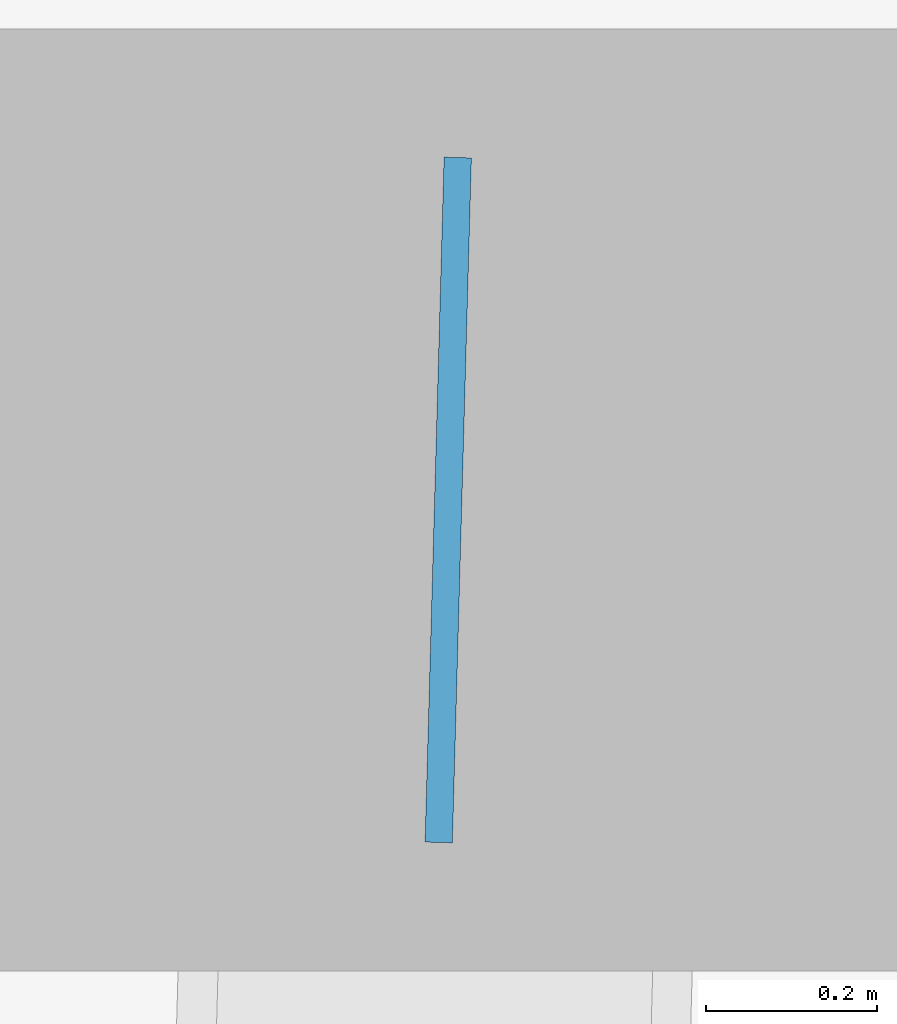
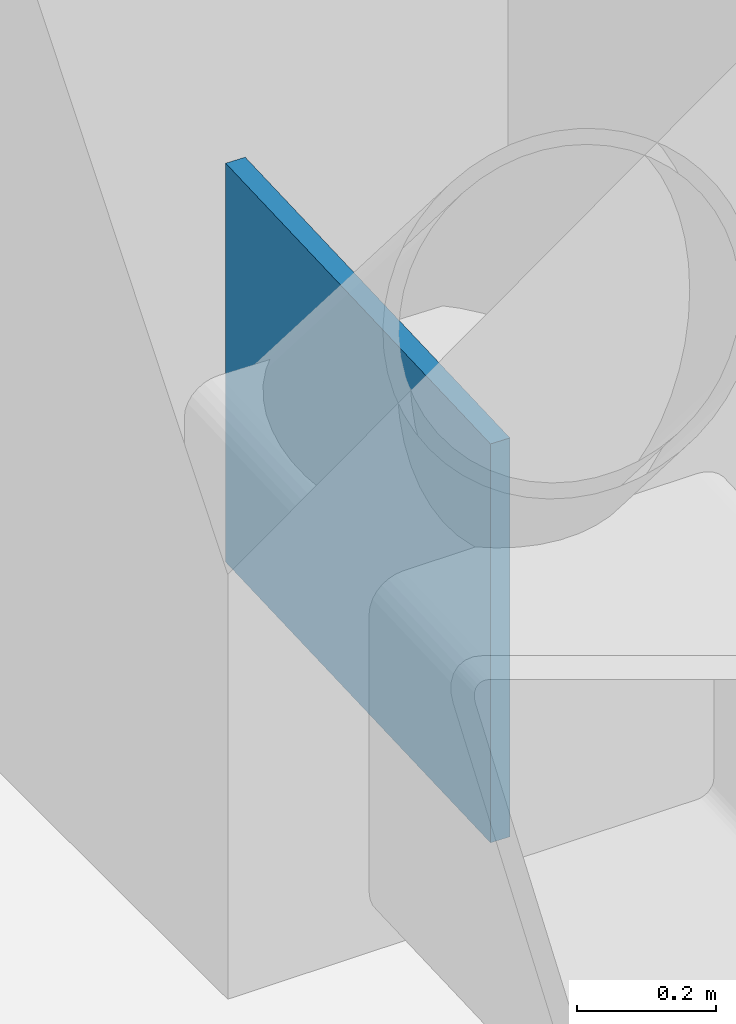
# One storey, part 6 of 17: 1 plate.
"""IFC4 building model written with IfcOpenShell, lengths in metres."""

import ifcopenshell
import ifcopenshell.guid

model = None  # the IFC model being written
_history = None  # IfcOwnerHistory: only IFC2X3 demands one
_inside = {}  # id of a spatial element -> (the spatial element, [elements in it])
_under = {}  # id of a project, library or spatial element -> (it, [spatial elements below it])
_declared = {}  # id of a project -> (the project, [libraries it declares])
_typed = {}  # id of a type object -> (the type object, [elements of that type])
_made_of = {}  # id of a material, layer set ... -> (it, [elements and type objects made of it])


def new_model(schema):
    """Start an empty IFC model of exactly this schema.

    Asked for "IFC4X3", IfcOpenShell would pick the latest addendum, in which some entities
    have other attributes; the version numbers below select the first issue.
    IFC2X3 requires an IfcOwnerHistory on every rooted entity: one is made here for all.
    """
    global model, _history
    if schema == "IFC4X3":
        model = ifcopenshell.file(schema_version=(4, 3, 0, 0))
    else:
        model = ifcopenshell.file(schema=schema)
    _inside.clear()
    _under.clear()
    _declared.clear()
    _typed.clear()
    _made_of.clear()
    _history = None
    if model.schema == "IFC2X3":
        org = make("IfcOrganization", Name="unknown")
        user = make(
            "IfcPersonAndOrganization",
            ThePerson=make("IfcPerson", FamilyName="unknown"),
            TheOrganization=org,
        )
        app = make(
            "IfcApplication",
            ApplicationDeveloper=org,
            Version="unknown",
            ApplicationFullName="unknown",
            ApplicationIdentifier="unknown",
        )
        _history = make(
            "IfcOwnerHistory",
            OwningUser=user,
            OwningApplication=app,
            ChangeAction="ADDED",
            CreationDate=0,
        )
    return model


def make(cls, **values):
    """One entity of the class cls with the attributes given. An attribute that is None is left unset."""
    return model.create_entity(
        cls, **{name: value for name, value in values.items() if value is not None}
    )


def rooted(cls, **values):
    """An entity with a GlobalId (a new one), such as an element, a storey or a relation."""
    return make(cls, GlobalId=ifcopenshell.guid.new(), OwnerHistory=_history, **values)


def si_unit(unit_type, name, prefix=None):
    """IfcSIUnit, for example si_unit("LENGTHUNIT", "METRE", prefix="MILLI")."""
    return make("IfcSIUnit", UnitType=unit_type, Prefix=prefix, Name=name)


def assignment(units):
    """IfcUnitAssignment: the units of a project."""
    return None if units is None else make("IfcUnitAssignment", Units=units)


def point(xyz):
    """IfcCartesianPoint."""
    return None if xyz is None else make("IfcCartesianPoint", Coordinates=xyz)


def direction(xyz):
    """IfcDirection."""
    return None if xyz is None else make("IfcDirection", DirectionRatios=xyz)


def frame(location, z_axis=None, x_axis=None):
    """IfcAxis2Placement3D, a coordinate frame: its origin and axes. An axis left out is left unset."""
    return make(
        "IfcAxis2Placement3D",
        Location=point(location),
        Axis=direction(z_axis),
        RefDirection=direction(x_axis),
    )


def frame_2d(location, x_axis=None):
    """IfcAxis2Placement2D, a coordinate frame in the plane: its origin and x axis."""
    return make(
        "IfcAxis2Placement2D", Location=point(location), RefDirection=direction(x_axis)
    )


def origin():
    """The frame at (0, 0, 0) with its axes left unset."""
    return frame((0.0, 0.0, 0.0))


def origin_2d():
    """The frame at (0, 0) in the plane with its x axis left unset."""
    return frame_2d((0.0, 0.0))


def place(relative_to, where):
    """IfcLocalPlacement: puts the frame where relative to a parent placement (None: the world)."""
    return make(
        "IfcLocalPlacement", PlacementRelTo=relative_to, RelativePlacement=where
    )


def context(
    kind, dimensions, precision=None, world=None, true_north=None, identifier=None
):
    """IfcGeometricRepresentationContext, for example the 3D "Model" context."""
    return make(
        "IfcGeometricRepresentationContext",
        ContextIdentifier=identifier,
        ContextType=kind,
        CoordinateSpaceDimension=dimensions,
        Precision=precision,
        WorldCoordinateSystem=world,
        TrueNorth=true_north,
    )


def subcontext(parent, identifier, kind, view, scale=None):
    """IfcGeometricRepresentationSubContext, for example "Body" below "Model"."""
    return make(
        "IfcGeometricRepresentationSubContext",
        ContextIdentifier=identifier,
        ContextType=kind,
        ParentContext=parent,
        TargetScale=scale,
        TargetView=view,
    )


def project(units=None, contexts=None):
    """IfcProject with its units and contexts."""
    return rooted(
        "IfcProject",
        Name="project",
        RepresentationContexts=contexts,
        UnitsInContext=assignment(units),
    )


def spatial(cls, under=None, at=None, **own):
    """A site, building, storey or space (cls), placed at a placement, below another one or the project."""
    s = rooted(cls, ObjectPlacement=at, **own)
    if under is not None:
        _under.setdefault(under.id(), (under, []))[1].append(s)
    return s


def profile(cls, at=None, kind="AREA", **sizes):
    """A parametric profile (cls). Its sizes go by their IFC names, for example OverallWidth=200.0."""
    return make(cls, ProfileType=kind, Position=at, **sizes)


def rectangle(**sizes):
    """IfcRectangleProfileDef."""
    return profile("IfcRectangleProfileDef", **sizes)


def extrude(swept, where, along, depth):
    """IfcExtrudedAreaSolid: the profile swept, set in the frame where, extruded along a direction by depth."""
    return make(
        "IfcExtrudedAreaSolid",
        SweptArea=swept,
        Position=where,
        ExtrudedDirection=direction(along),
        Depth=depth,
    )


def shape(context_of_items, identifier, shape_type, items):
    """IfcShapeRepresentation: the items that make up one representation, for example the "Body"."""
    return make(
        "IfcShapeRepresentation",
        ContextOfItems=context_of_items,
        RepresentationIdentifier=identifier,
        RepresentationType=shape_type,
        Items=items,
    )


def material(Name=None, Category=None):
    """IfcMaterial."""
    return make("IfcMaterial", Name=Name, Category=Category)


def layer(
    of_material, thickness, ventilated=None, Name=None, Category=None, Priority=None
):
    """IfcMaterialLayer: one layer of a wall or slab, of a material (None: an air gap)."""
    return make(
        "IfcMaterialLayer",
        Material=of_material,
        LayerThickness=thickness,
        IsVentilated=ventilated,
        Name=Name,
        Category=Category,
        Priority=Priority,
    )


def layer_set(layers, Name=None):
    """IfcMaterialLayerSet."""
    return make("IfcMaterialLayerSet", MaterialLayers=layers, LayerSetName=Name)


def made_of(thing, what):
    """Note that an element or type object is made of a material, layer set ...; save() writes the relation."""
    if what is not None:
        _made_of.setdefault(what.id(), (what, []))[1].append(thing)
    return thing


def type_object(cls, material=None, **own):
    """A type object (cls), such as IfcWallType, which elements share."""
    return made_of(rooted(cls, **own), material)


def element(
    cls,
    number,
    at=None,
    inside=None,
    cuts=None,
    type_object=None,
    material=None,
    context=None,
    identifier="Body",
    shape_type=None,
    held_by="IfcProductDefinitionShape",
    body=None,
    shapes=None,
    **own,
):
    """One element of the class cls, such as IfcWall. Its Tag is "e" and its number.

    at: its placement. inside: the storey or other place that contains it. cuts: it is an
    opening in that element (IfcRelVoidsElement). A single representation is given by context,
    identifier, shape_type and body (its items); several are given by shapes. held_by: the class
    of the entity that holds the representations. save() writes the other relations.
    """
    e = rooted(cls, Tag="e%d" % number, ObjectPlacement=at, **own)
    if body is not None:
        shapes = [shape(context, identifier, shape_type, body)]
    if shapes is not None:
        e.Representation = make(held_by, Representations=shapes)
    if inside is not None:
        _inside.setdefault(inside.id(), (inside, []))[1].append(e)
    if cuts is not None:
        rooted(
            "IfcRelVoidsElement", RelatingBuildingElement=cuts, RelatedOpeningElement=e
        )
    if type_object is not None:
        _typed.setdefault(type_object.id(), (type_object, []))[1].append(e)
    return made_of(e, material)


def aggregate(whole, parts):
    """IfcRelAggregates: a whole, such as a stair, and the parts it consists of."""
    return rooted("IfcRelAggregates", RelatingObject=whole, RelatedObjects=parts)


def save(model, path):
    """Write the relations noted so far, then the file.

    IfcRelAggregates (storeys below a building ...), IfcRelContainedInSpatialStructure (elements
    in a storey), IfcRelDefinesByType, IfcRelAssociatesMaterial and IfcRelDeclares: one each for
    every whole, place, type object, material and project.
    """
    for whole, parts in _under.values():
        aggregate(whole, parts)
    for where, things in _inside.values():
        rooted(
            "IfcRelContainedInSpatialStructure",
            RelatedElements=things,
            RelatingStructure=where,
        )
    for kind, things in _typed.values():
        rooted("IfcRelDefinesByType", RelatedObjects=things, RelatingType=kind)
    for what, things in _made_of.values():
        rooted("IfcRelAssociatesMaterial", RelatedObjects=things, RelatingMaterial=what)
    for by, libraries in _declared.values():
        rooted("IfcRelDeclares", RelatingContext=by, RelatedDefinitions=libraries)
    model.write(path)


model = new_model("IFC4")

# Units and contexts
model_context = context("Model", 3, precision=1e-05, world=origin(), true_north=direction((0.0, 1.0)))
body_context = subcontext(model_context, "Body", "Model", "MODEL_VIEW")
ifc_project = project(units=[si_unit("LENGTHUNIT", "METRE"), si_unit("AREAUNIT", "SQUARE_METRE"), si_unit("VOLUMEUNIT", "CUBIC_METRE"), si_unit("PLANEANGLEUNIT", "RADIAN"), si_unit("MASSUNIT", "GRAM", prefix="KILO")], contexts=[model_context])

# Site, building, storey
site_placement = place(None, origin())
site = spatial("IfcSite", under=ifc_project, at=site_placement, CompositionType="ELEMENT")
building_placement = place(site_placement, origin())
building = spatial("IfcBuilding", under=site, at=building_placement, Name="Qingluan Cross Belvedere", CompositionType="ELEMENT")
storey_placement = place(building_placement, frame((0.0, 0.0, 95.10009765625)))
storey = spatial("IfcBuildingStorey", under=building, at=storey_placement, Name="L24", CompositionType="ELEMENT", Elevation=95.10009765625)

# Plate
ifc_material = material(Name="Steel Q420GJB", Category="steel")
ifc_layer = layer(ifc_material, 0.031982421875, Name="GussetPlate_32")
ifc_layer_set = layer_set([ifc_layer], Name="Steel Q420GJB")
plate_type = type_object("IfcPlateType", Name="GussetPlate_32", PredefinedType="SHEET", material=ifc_layer_set)
plate_placement = place(storey_placement, frame((-3.800048828125, 27.0, 0.0), z_axis=(0.0, 0.0, 1.0), x_axis=(0.027767067237, 0.999614420653, 0.0)))
element("IfcPlate", 1, at=plate_placement, inside=storey, type_object=plate_type, Name="Belt truss gusset node plate L24-NN-B", PredefinedType="SHEET", context=body_context, shape_type="SweptSolid", body=[
    extrude(rectangle(XDim=0.800048828125, YDim=0.031982421875, at=origin_2d()), origin(), (0.0, 0.0, 1.0), 0.699951171875),
])

save(model, "model.ifc")
